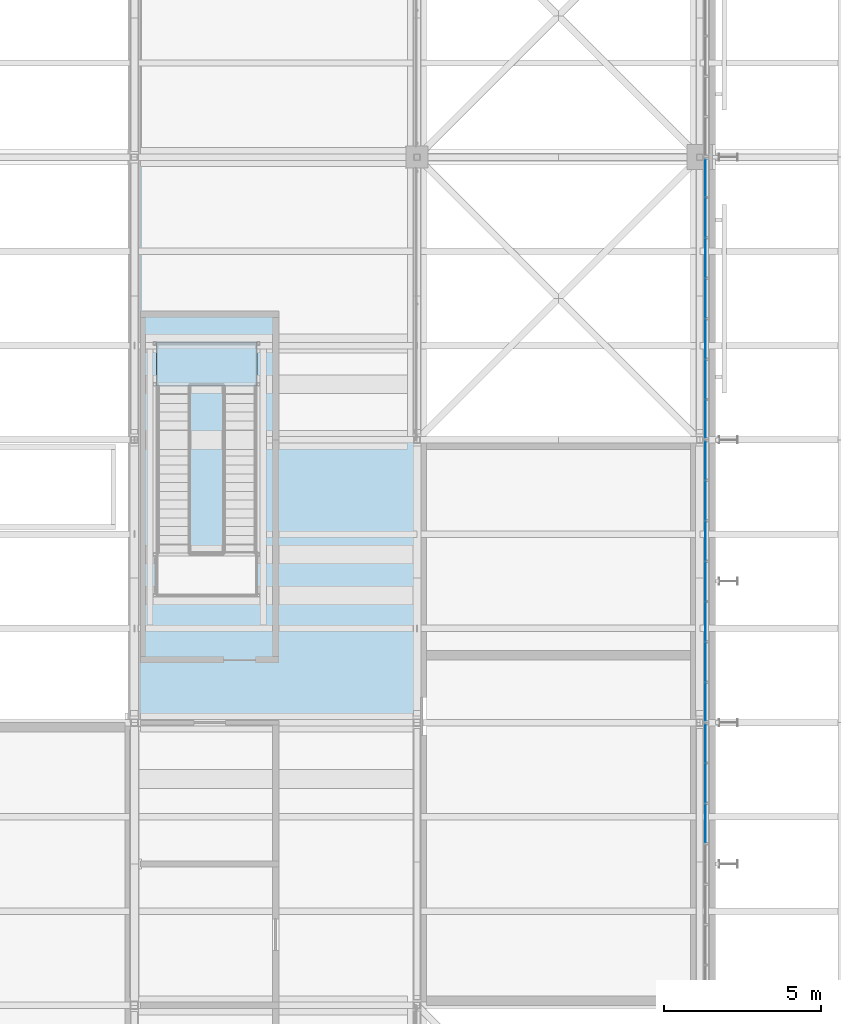
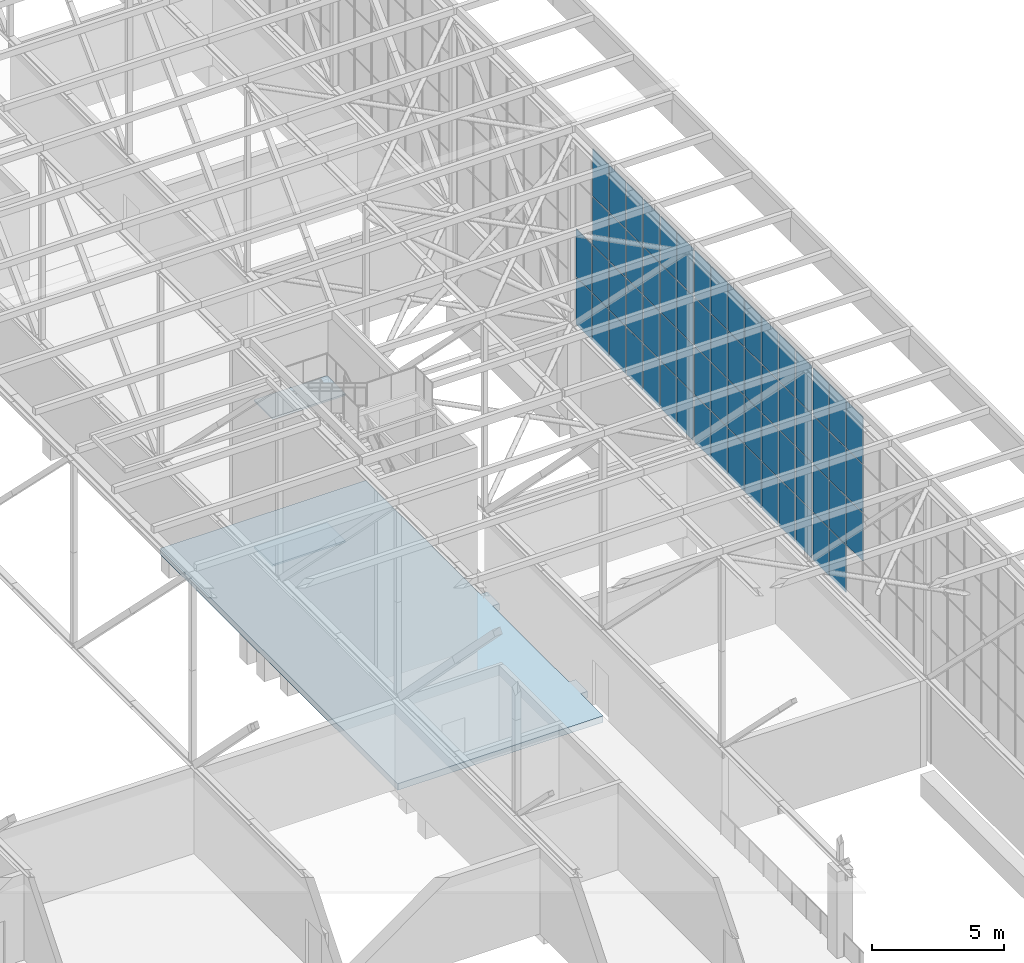
# One storey, part 155 of 646: 65 plates, 3 slabs, 4 elements without a shape of their own.
"""IFC4 building model written with IfcOpenShell, lengths in metres."""

import ifcopenshell
import ifcopenshell.guid

model = None  # the IFC model being written
_history = None  # IfcOwnerHistory: only IFC2X3 demands one
_inside = {}  # id of a spatial element -> (the spatial element, [elements in it])
_under = {}  # id of a project, library or spatial element -> (it, [spatial elements below it])
_declared = {}  # id of a project -> (the project, [libraries it declares])
_typed = {}  # id of a type object -> (the type object, [elements of that type])
_made_of = {}  # id of a material, layer set ... -> (it, [elements and type objects made of it])


def new_model(schema):
    """Start an empty IFC model of exactly this schema.

    Asked for "IFC4X3", IfcOpenShell would pick the latest addendum, in which some entities
    have other attributes; the version numbers below select the first issue.
    IFC2X3 requires an IfcOwnerHistory on every rooted entity: one is made here for all.
    """
    global model, _history
    if schema == "IFC4X3":
        model = ifcopenshell.file(schema_version=(4, 3, 0, 0))
    else:
        model = ifcopenshell.file(schema=schema)
    _inside.clear()
    _under.clear()
    _declared.clear()
    _typed.clear()
    _made_of.clear()
    _history = None
    if model.schema == "IFC2X3":
        org = make("IfcOrganization", Name="unknown")
        user = make(
            "IfcPersonAndOrganization",
            ThePerson=make("IfcPerson", FamilyName="unknown"),
            TheOrganization=org,
        )
        app = make(
            "IfcApplication",
            ApplicationDeveloper=org,
            Version="unknown",
            ApplicationFullName="unknown",
            ApplicationIdentifier="unknown",
        )
        _history = make(
            "IfcOwnerHistory",
            OwningUser=user,
            OwningApplication=app,
            ChangeAction="ADDED",
            CreationDate=0,
        )
    return model


def make(cls, **values):
    """One entity of the class cls with the attributes given. An attribute that is None is left unset."""
    return model.create_entity(
        cls, **{name: value for name, value in values.items() if value is not None}
    )


def rooted(cls, **values):
    """An entity with a GlobalId (a new one), such as an element, a storey or a relation."""
    return make(cls, GlobalId=ifcopenshell.guid.new(), OwnerHistory=_history, **values)


def si_unit(unit_type, name, prefix=None):
    """IfcSIUnit, for example si_unit("LENGTHUNIT", "METRE", prefix="MILLI")."""
    return make("IfcSIUnit", UnitType=unit_type, Prefix=prefix, Name=name)


def assignment(units):
    """IfcUnitAssignment: the units of a project."""
    return None if units is None else make("IfcUnitAssignment", Units=units)


def point(xyz):
    """IfcCartesianPoint."""
    return None if xyz is None else make("IfcCartesianPoint", Coordinates=xyz)


def direction(xyz):
    """IfcDirection."""
    return None if xyz is None else make("IfcDirection", DirectionRatios=xyz)


def frame(location, z_axis=None, x_axis=None):
    """IfcAxis2Placement3D, a coordinate frame: its origin and axes. An axis left out is left unset."""
    return make(
        "IfcAxis2Placement3D",
        Location=point(location),
        Axis=direction(z_axis),
        RefDirection=direction(x_axis),
    )


def frame_2d(location, x_axis=None):
    """IfcAxis2Placement2D, a coordinate frame in the plane: its origin and x axis."""
    return make(
        "IfcAxis2Placement2D", Location=point(location), RefDirection=direction(x_axis)
    )


def origin():
    """The frame at (0, 0, 0) with its axes left unset."""
    return frame((0.0, 0.0, 0.0))


def origin_2d():
    """The frame at (0, 0) in the plane with its x axis left unset."""
    return frame_2d((0.0, 0.0))


def place(relative_to, where):
    """IfcLocalPlacement: puts the frame where relative to a parent placement (None: the world)."""
    return make(
        "IfcLocalPlacement", PlacementRelTo=relative_to, RelativePlacement=where
    )


def context(
    kind, dimensions, precision=None, world=None, true_north=None, identifier=None
):
    """IfcGeometricRepresentationContext, for example the 3D "Model" context."""
    return make(
        "IfcGeometricRepresentationContext",
        ContextIdentifier=identifier,
        ContextType=kind,
        CoordinateSpaceDimension=dimensions,
        Precision=precision,
        WorldCoordinateSystem=world,
        TrueNorth=true_north,
    )


def subcontext(parent, identifier, kind, view, scale=None):
    """IfcGeometricRepresentationSubContext, for example "Body" below "Model"."""
    return make(
        "IfcGeometricRepresentationSubContext",
        ContextIdentifier=identifier,
        ContextType=kind,
        ParentContext=parent,
        TargetScale=scale,
        TargetView=view,
    )


def project(units=None, contexts=None):
    """IfcProject with its units and contexts."""
    return rooted(
        "IfcProject",
        Name="project",
        RepresentationContexts=contexts,
        UnitsInContext=assignment(units),
    )


def spatial(cls, under=None, at=None, **own):
    """A site, building, storey or space (cls), placed at a placement, below another one or the project."""
    s = rooted(cls, ObjectPlacement=at, **own)
    if under is not None:
        _under.setdefault(under.id(), (under, []))[1].append(s)
    return s


def polyline(points):
    """IfcPolyline through the points."""
    return make("IfcPolyline", Points=[point(p) for p in points])


def profile(cls, at=None, kind="AREA", **sizes):
    """A parametric profile (cls). Its sizes go by their IFC names, for example OverallWidth=200.0."""
    return make(cls, ProfileType=kind, Position=at, **sizes)


def rectangle(**sizes):
    """IfcRectangleProfileDef."""
    return profile("IfcRectangleProfileDef", **sizes)


def outline(outer, holes=None, kind="AREA"):
    """IfcArbitraryClosedProfileDef: a profile drawn as a closed curve; with holes, ...WithVoids."""
    if holes is None:
        return make("IfcArbitraryClosedProfileDef", ProfileType=kind, OuterCurve=outer)
    return make(
        "IfcArbitraryProfileDefWithVoids",
        ProfileType=kind,
        OuterCurve=outer,
        InnerCurves=holes,
    )


def extrude(swept, where, along, depth):
    """IfcExtrudedAreaSolid: the profile swept, set in the frame where, extruded along a direction by depth."""
    return make(
        "IfcExtrudedAreaSolid",
        SweptArea=swept,
        Position=where,
        ExtrudedDirection=direction(along),
        Depth=depth,
    )


def shape(context_of_items, identifier, shape_type, items):
    """IfcShapeRepresentation: the items that make up one representation, for example the "Body"."""
    return make(
        "IfcShapeRepresentation",
        ContextOfItems=context_of_items,
        RepresentationIdentifier=identifier,
        RepresentationType=shape_type,
        Items=items,
    )


def material(Name=None, Category=None):
    """IfcMaterial."""
    return make("IfcMaterial", Name=Name, Category=Category)


def layer(
    of_material, thickness, ventilated=None, Name=None, Category=None, Priority=None
):
    """IfcMaterialLayer: one layer of a wall or slab, of a material (None: an air gap)."""
    return make(
        "IfcMaterialLayer",
        Material=of_material,
        LayerThickness=thickness,
        IsVentilated=ventilated,
        Name=Name,
        Category=Category,
        Priority=Priority,
    )


def layer_set(layers, Name=None):
    """IfcMaterialLayerSet."""
    return make("IfcMaterialLayerSet", MaterialLayers=layers, LayerSetName=Name)


def made_of(thing, what):
    """Note that an element or type object is made of a material, layer set ...; save() writes the relation."""
    if what is not None:
        _made_of.setdefault(what.id(), (what, []))[1].append(thing)
    return thing


def type_object(cls, material=None, **own):
    """A type object (cls), such as IfcWallType, which elements share."""
    return made_of(rooted(cls, **own), material)


def element(
    cls,
    number,
    at=None,
    inside=None,
    cuts=None,
    type_object=None,
    material=None,
    context=None,
    identifier="Body",
    shape_type=None,
    held_by="IfcProductDefinitionShape",
    body=None,
    shapes=None,
    **own,
):
    """One element of the class cls, such as IfcWall. Its Tag is "e" and its number.

    at: its placement. inside: the storey or other place that contains it. cuts: it is an
    opening in that element (IfcRelVoidsElement). A single representation is given by context,
    identifier, shape_type and body (its items); several are given by shapes. held_by: the class
    of the entity that holds the representations. save() writes the other relations.
    """
    e = rooted(cls, Tag="e%d" % number, ObjectPlacement=at, **own)
    if body is not None:
        shapes = [shape(context, identifier, shape_type, body)]
    if shapes is not None:
        e.Representation = make(held_by, Representations=shapes)
    if inside is not None:
        _inside.setdefault(inside.id(), (inside, []))[1].append(e)
    if cuts is not None:
        rooted(
            "IfcRelVoidsElement", RelatingBuildingElement=cuts, RelatedOpeningElement=e
        )
    if type_object is not None:
        _typed.setdefault(type_object.id(), (type_object, []))[1].append(e)
    return made_of(e, material)


def aggregate(whole, parts):
    """IfcRelAggregates: a whole, such as a stair, and the parts it consists of."""
    return rooted("IfcRelAggregates", RelatingObject=whole, RelatedObjects=parts)


def save(model, path):
    """Write the relations noted so far, then the file.

    IfcRelAggregates (storeys below a building ...), IfcRelContainedInSpatialStructure (elements
    in a storey), IfcRelDefinesByType, IfcRelAssociatesMaterial and IfcRelDeclares: one each for
    every whole, place, type object, material and project.
    """
    for whole, parts in _under.values():
        aggregate(whole, parts)
    for where, things in _inside.values():
        rooted(
            "IfcRelContainedInSpatialStructure",
            RelatedElements=things,
            RelatingStructure=where,
        )
    for kind, things in _typed.values():
        rooted("IfcRelDefinesByType", RelatedObjects=things, RelatingType=kind)
    for what, things in _made_of.values():
        rooted("IfcRelAssociatesMaterial", RelatedObjects=things, RelatingMaterial=what)
    for by, libraries in _declared.values():
        rooted("IfcRelDeclares", RelatingContext=by, RelatedDefinitions=libraries)
    model.write(path)


model = new_model("IFC4")

# Units and contexts
model_context = context("Model", 3, precision=1e-05, world=origin(), true_north=direction((0.0, 1.0)))
body_context = subcontext(model_context, "Body", "Model", "MODEL_VIEW")
ifc_project = project(units=[si_unit("LENGTHUNIT", "METRE"), si_unit("AREAUNIT", "SQUARE_METRE"), si_unit("VOLUMEUNIT", "CUBIC_METRE"), si_unit("PLANEANGLEUNIT", "RADIAN"), si_unit("MASSUNIT", "GRAM", prefix="KILO")], contexts=[model_context])

# Site, building, storey
site_placement = place(None, origin())
site = spatial("IfcSite", under=ifc_project, at=site_placement, CompositionType="ELEMENT")
building_placement = place(site_placement, origin())
building = spatial("IfcBuilding", under=site, at=building_placement, Name="Silverbay Arena", CompositionType="ELEMENT")
storey_placement = place(building_placement, frame((0.0, 0.0, 33.5)))
storey = spatial("IfcBuildingStorey", under=building, at=storey_placement, Name="L05", CompositionType="ELEMENT", Elevation=33.5)

# Curtain wall, plates
ifc_material_1 = material(Name="Aluminium framed glazing", Category="aluminium")
curtain_wall_type = type_object("IfcCurtainWallType", Name="Curtain wall clerestory 9000 x 9000", PredefinedType="NOTDEFINED", material=ifc_material_1)
curtain_wall_1_placement = place(storey_placement, origin())
curtain_wall_1 = element("IfcCurtainWall", 1, at=curtain_wall_1_placement, inside=storey, type_object=curtain_wall_type, Name="ROOF GABLE CLERESTORY CURTAIN WALL east bay 06", PredefinedType="NOTDEFINED")
ifc_material_2 = material(Name="Laminated glass", Category="glass")
ifc_layer_1 = layer(ifc_material_2, 0.028076171875)
ifc_layer_set_1 = layer_set([ifc_layer_1], Name="Laminated glass")
plate_type = type_object("IfcPlateType", Name="Glass panel 28", PredefinedType="CURTAIN_PANEL", material=ifc_layer_set_1)
plate_1_placement = place(storey_placement, frame((207.179931640625, 59.78564453125, 6.27490234375), z_axis=(0.0, 0.0, 1.0), x_axis=(0.0, 1.0, 0.0)))
plate_1 = element("IfcPlate", 2, at=plate_1_placement, type_object=plate_type, Name="CW60 panel 5.2", PredefinedType="CURTAIN_PANEL", context=body_context, shape_type="SweptSolid", body=[
    extrude(rectangle(XDim=1.225830078125, YDim=0.028076171875, at=origin_2d()), origin(), (0.0, 0.0, 1.0), 2.199951171875),
])
plate_2_placement = place(storey_placement, frame((207.179931640625, 59.78564453125, 8.52490234375), z_axis=(0.0, 0.0, 1.0), x_axis=(0.0, 1.0, 0.0)))
plate_2 = element("IfcPlate", 3, at=plate_2_placement, type_object=plate_type, Name="CW60 panel 5.3", PredefinedType="CURTAIN_PANEL", context=body_context, shape_type="SweptSolid", body=[
    extrude(rectangle(XDim=1.225830078125, YDim=0.028076171875, at=origin_2d()), origin(), (0.0, 0.0, 1.0), 2.199951171875),
])
plate_3_placement = place(storey_placement, frame((207.179931640625, 59.78564453125, 10.77490234375), z_axis=(0.0, 0.0, 1.0), x_axis=(0.0, 1.0, 0.0)))
plate_3 = element("IfcPlate", 4, at=plate_3_placement, type_object=plate_type, Name="CW60 panel 5.4", PredefinedType="CURTAIN_PANEL", context=body_context, shape_type="SweptSolid", body=[
    extrude(rectangle(XDim=1.225830078125, YDim=0.028076171875, at=origin_2d()), origin(), (0.0, 0.0, 1.0), 2.175048828125),
])
plate_4_placement = place(storey_placement, frame((207.179931640625, 61.071533203125, 4.0498046875), z_axis=(0.0, 0.0, 1.0), x_axis=(0.0, 1.0, 0.0)))
plate_4 = element("IfcPlate", 5, at=plate_4_placement, type_object=plate_type, Name="CW60 panel 6.1", PredefinedType="CURTAIN_PANEL", context=body_context, shape_type="SweptSolid", body=[
    extrude(rectangle(XDim=1.225830078125, YDim=0.028076171875, at=origin_2d()), origin(), (0.0, 0.0, 1.0), 2.175048828125),
])
plate_5_placement = place(storey_placement, frame((207.179931640625, 61.071533203125, 6.27490234375), z_axis=(0.0, 0.0, 1.0), x_axis=(0.0, 1.0, 0.0)))
plate_5 = element("IfcPlate", 6, at=plate_5_placement, type_object=plate_type, Name="CW60 panel 6.2", PredefinedType="CURTAIN_PANEL", context=body_context, shape_type="SweptSolid", body=[
    extrude(rectangle(XDim=1.225830078125, YDim=0.028076171875, at=origin_2d()), origin(), (0.0, 0.0, 1.0), 2.199951171875),
])
plate_6_placement = place(storey_placement, frame((207.179931640625, 61.071533203125, 8.52490234375), z_axis=(0.0, 0.0, 1.0), x_axis=(0.0, 1.0, 0.0)))
plate_6 = element("IfcPlate", 7, at=plate_6_placement, type_object=plate_type, Name="CW60 panel 6.3", PredefinedType="CURTAIN_PANEL", context=body_context, shape_type="SweptSolid", body=[
    extrude(rectangle(XDim=1.225830078125, YDim=0.028076171875, at=origin_2d()), origin(), (0.0, 0.0, 1.0), 2.199951171875),
])
plate_7_placement = place(storey_placement, frame((207.179931640625, 61.071533203125, 10.77490234375), z_axis=(0.0, 0.0, 1.0), x_axis=(0.0, 1.0, 0.0)))
plate_7 = element("IfcPlate", 8, at=plate_7_placement, type_object=plate_type, Name="CW60 panel 6.4", PredefinedType="CURTAIN_PANEL", context=body_context, shape_type="SweptSolid", body=[
    extrude(rectangle(XDim=1.225830078125, YDim=0.028076171875, at=origin_2d()), origin(), (0.0, 0.0, 1.0), 2.175048828125),
])
plate_8_placement = place(storey_placement, frame((207.179931640625, 62.342041015625, 4.0498046875), z_axis=(0.0, 0.0, 1.0), x_axis=(0.0, 1.0, 0.0)))
plate_8 = element("IfcPlate", 9, at=plate_8_placement, type_object=plate_type, Name="CW60 panel 7.1", PredefinedType="CURTAIN_PANEL", context=body_context, shape_type="SweptSolid", body=[
    extrude(rectangle(XDim=1.19580078125, YDim=0.028076171875, at=origin_2d()), origin(), (0.0, 0.0, 1.0), 2.175048828125),
])
plate_9_placement = place(storey_placement, frame((207.179931640625, 62.342041015625, 6.27490234375), z_axis=(0.0, 0.0, 1.0), x_axis=(0.0, 1.0, 0.0)))
plate_9 = element("IfcPlate", 10, at=plate_9_placement, type_object=plate_type, Name="CW60 panel 7.2", PredefinedType="CURTAIN_PANEL", context=body_context, shape_type="SweptSolid", body=[
    extrude(rectangle(XDim=1.19580078125, YDim=0.028076171875, at=origin_2d()), origin(), (0.0, 0.0, 1.0), 2.199951171875),
])
plate_10_placement = place(storey_placement, frame((207.179931640625, 62.342041015625, 8.52490234375), z_axis=(0.0, 0.0, 1.0), x_axis=(0.0, 1.0, 0.0)))
plate_10 = element("IfcPlate", 11, at=plate_10_placement, type_object=plate_type, Name="CW60 panel 7.3", PredefinedType="CURTAIN_PANEL", context=body_context, shape_type="SweptSolid", body=[
    extrude(rectangle(XDim=1.19580078125, YDim=0.028076171875, at=origin_2d()), origin(), (0.0, 0.0, 1.0), 2.199951171875),
])
plate_11_placement = place(storey_placement, frame((207.179931640625, 62.342041015625, 10.77490234375), z_axis=(0.0, 0.0, 1.0), x_axis=(0.0, 1.0, 0.0)))
plate_11 = element("IfcPlate", 12, at=plate_11_placement, type_object=plate_type, Name="CW60 panel 7.4", PredefinedType="CURTAIN_PANEL", context=body_context, shape_type="SweptSolid", body=[
    extrude(rectangle(XDim=1.19580078125, YDim=0.028076171875, at=origin_2d()), origin(), (0.0, 0.0, 1.0), 2.175048828125),
])
aggregate(curtain_wall_1, [plate_1, plate_2, plate_3, plate_4, plate_5, plate_6, plate_7, plate_8, plate_9, plate_10, plate_11])

curtain_wall_2_placement = place(storey_placement, origin())
curtain_wall_2 = element("IfcCurtainWall", 13, at=curtain_wall_2_placement, inside=storey, type_object=curtain_wall_type, Name="ROOF GABLE CLERESTORY CURTAIN WALL east bay 07", PredefinedType="NOTDEFINED")
plate_12_placement = place(storey_placement, frame((207.179931640625, 63.657958984375, 4.0498046875), z_axis=(0.0, 0.0, 1.0), x_axis=(0.0, 1.0, 0.0)))
plate_12 = element("IfcPlate", 14, at=plate_12_placement, type_object=plate_type, Name="CW60 panel 1.1", PredefinedType="CURTAIN_PANEL", context=body_context, shape_type="SweptSolid", body=[
    extrude(rectangle(XDim=1.19580078125, YDim=0.028076171875, at=origin_2d()), origin(), (0.0, 0.0, 1.0), 2.175048828125),
])
plate_13_placement = place(storey_placement, frame((207.179931640625, 63.657958984375, 6.27490234375), z_axis=(0.0, 0.0, 1.0), x_axis=(0.0, 1.0, 0.0)))
plate_13 = element("IfcPlate", 15, at=plate_13_placement, type_object=plate_type, Name="CW60 panel 1.2", PredefinedType="CURTAIN_PANEL", context=body_context, shape_type="SweptSolid", body=[
    extrude(rectangle(XDim=1.19580078125, YDim=0.028076171875, at=origin_2d()), origin(), (0.0, 0.0, 1.0), 2.199951171875),
])
plate_14_placement = place(storey_placement, frame((207.179931640625, 63.657958984375, 8.52490234375), z_axis=(0.0, 0.0, 1.0), x_axis=(0.0, 1.0, 0.0)))
plate_14 = element("IfcPlate", 16, at=plate_14_placement, type_object=plate_type, Name="CW60 panel 1.3", PredefinedType="CURTAIN_PANEL", context=body_context, shape_type="SweptSolid", body=[
    extrude(rectangle(XDim=1.19580078125, YDim=0.028076171875, at=origin_2d()), origin(), (0.0, 0.0, 1.0), 2.199951171875),
])
plate_15_placement = place(storey_placement, frame((207.179931640625, 63.657958984375, 10.77490234375), z_axis=(0.0, 0.0, 1.0), x_axis=(0.0, 1.0, 0.0)))
plate_15 = element("IfcPlate", 17, at=plate_15_placement, type_object=plate_type, Name="CW60 panel 1.4", PredefinedType="CURTAIN_PANEL", context=body_context, shape_type="SweptSolid", body=[
    extrude(rectangle(XDim=1.19580078125, YDim=0.028076171875, at=origin_2d()), origin(), (0.0, 0.0, 1.0), 2.175048828125),
])
plate_16_placement = place(storey_placement, frame((207.179931640625, 64.928466796875, 4.0498046875), z_axis=(0.0, 0.0, 1.0), x_axis=(0.0, 1.0, 0.0)))
plate_16 = element("IfcPlate", 18, at=plate_16_placement, type_object=plate_type, Name="CW60 panel 2.1", PredefinedType="CURTAIN_PANEL", context=body_context, shape_type="SweptSolid", body=[
    extrude(rectangle(XDim=1.225830078125, YDim=0.028076171875, at=origin_2d()), origin(), (0.0, 0.0, 1.0), 2.175048828125),
])
plate_17_placement = place(storey_placement, frame((207.179931640625, 64.928466796875, 6.27490234375), z_axis=(0.0, 0.0, 1.0), x_axis=(0.0, 1.0, 0.0)))
plate_17 = element("IfcPlate", 19, at=plate_17_placement, type_object=plate_type, Name="CW60 panel 2.2", PredefinedType="CURTAIN_PANEL", context=body_context, shape_type="SweptSolid", body=[
    extrude(rectangle(XDim=1.225830078125, YDim=0.028076171875, at=origin_2d()), origin(), (0.0, 0.0, 1.0), 2.199951171875),
])
plate_18_placement = place(storey_placement, frame((207.179931640625, 64.928466796875, 8.52490234375), z_axis=(0.0, 0.0, 1.0), x_axis=(0.0, 1.0, 0.0)))
plate_18 = element("IfcPlate", 20, at=plate_18_placement, type_object=plate_type, Name="CW60 panel 2.3", PredefinedType="CURTAIN_PANEL", context=body_context, shape_type="SweptSolid", body=[
    extrude(rectangle(XDim=1.225830078125, YDim=0.028076171875, at=origin_2d()), origin(), (0.0, 0.0, 1.0), 2.199951171875),
])
plate_19_placement = place(storey_placement, frame((207.179931640625, 64.928466796875, 10.77490234375), z_axis=(0.0, 0.0, 1.0), x_axis=(0.0, 1.0, 0.0)))
plate_19 = element("IfcPlate", 21, at=plate_19_placement, type_object=plate_type, Name="CW60 panel 2.4", PredefinedType="CURTAIN_PANEL", context=body_context, shape_type="SweptSolid", body=[
    extrude(rectangle(XDim=1.225830078125, YDim=0.028076171875, at=origin_2d()), origin(), (0.0, 0.0, 1.0), 2.175048828125),
])
plate_20_placement = place(storey_placement, frame((207.179931640625, 66.21435546875, 4.0498046875), z_axis=(0.0, 0.0, 1.0), x_axis=(0.0, 1.0, 0.0)))
plate_20 = element("IfcPlate", 22, at=plate_20_placement, type_object=plate_type, Name="CW60 panel 3.1", PredefinedType="CURTAIN_PANEL", context=body_context, shape_type="SweptSolid", body=[
    extrude(rectangle(XDim=1.225830078125, YDim=0.028076171875, at=origin_2d()), origin(), (0.0, 0.0, 1.0), 2.175048828125),
])
plate_21_placement = place(storey_placement, frame((207.179931640625, 66.21435546875, 6.27490234375), z_axis=(0.0, 0.0, 1.0), x_axis=(0.0, 1.0, 0.0)))
plate_21 = element("IfcPlate", 23, at=plate_21_placement, type_object=plate_type, Name="CW60 panel 3.2", PredefinedType="CURTAIN_PANEL", context=body_context, shape_type="SweptSolid", body=[
    extrude(rectangle(XDim=1.225830078125, YDim=0.028076171875, at=origin_2d()), origin(), (0.0, 0.0, 1.0), 2.199951171875),
])
plate_22_placement = place(storey_placement, frame((207.179931640625, 66.21435546875, 8.52490234375), z_axis=(0.0, 0.0, 1.0), x_axis=(0.0, 1.0, 0.0)))
plate_22 = element("IfcPlate", 24, at=plate_22_placement, type_object=plate_type, Name="CW60 panel 3.3", PredefinedType="CURTAIN_PANEL", context=body_context, shape_type="SweptSolid", body=[
    extrude(rectangle(XDim=1.225830078125, YDim=0.028076171875, at=origin_2d()), origin(), (0.0, 0.0, 1.0), 2.199951171875),
])
plate_23_placement = place(storey_placement, frame((207.179931640625, 66.21435546875, 10.77490234375), z_axis=(0.0, 0.0, 1.0), x_axis=(0.0, 1.0, 0.0)))
plate_23 = element("IfcPlate", 25, at=plate_23_placement, type_object=plate_type, Name="CW60 panel 3.4", PredefinedType="CURTAIN_PANEL", context=body_context, shape_type="SweptSolid", body=[
    extrude(rectangle(XDim=1.225830078125, YDim=0.028076171875, at=origin_2d()), origin(), (0.0, 0.0, 1.0), 2.175048828125),
])
plate_24_placement = place(storey_placement, frame((207.179931640625, 67.5, 4.0498046875), z_axis=(0.0, 0.0, 1.0), x_axis=(0.0, 1.0, 0.0)))
plate_24 = element("IfcPlate", 26, at=plate_24_placement, type_object=plate_type, Name="CW60 panel 4.1", PredefinedType="CURTAIN_PANEL", context=body_context, shape_type="SweptSolid", body=[
    extrude(rectangle(XDim=1.225830078125, YDim=0.028076171875, at=origin_2d()), origin(), (0.0, 0.0, 1.0), 2.175048828125),
])
plate_25_placement = place(storey_placement, frame((207.179931640625, 67.5, 6.27490234375), z_axis=(0.0, 0.0, 1.0), x_axis=(0.0, 1.0, 0.0)))
plate_25 = element("IfcPlate", 27, at=plate_25_placement, type_object=plate_type, Name="CW60 panel 4.2", PredefinedType="CURTAIN_PANEL", context=body_context, shape_type="SweptSolid", body=[
    extrude(rectangle(XDim=1.225830078125, YDim=0.028076171875, at=origin_2d()), origin(), (0.0, 0.0, 1.0), 2.199951171875),
])
plate_26_placement = place(storey_placement, frame((207.179931640625, 67.5, 8.52490234375), z_axis=(0.0, 0.0, 1.0), x_axis=(0.0, 1.0, 0.0)))
plate_26 = element("IfcPlate", 28, at=plate_26_placement, type_object=plate_type, Name="CW60 panel 4.3", PredefinedType="CURTAIN_PANEL", context=body_context, shape_type="SweptSolid", body=[
    extrude(rectangle(XDim=1.225830078125, YDim=0.028076171875, at=origin_2d()), origin(), (0.0, 0.0, 1.0), 2.199951171875),
])
plate_27_placement = place(storey_placement, frame((207.179931640625, 67.5, 10.77490234375), z_axis=(0.0, 0.0, 1.0), x_axis=(0.0, 1.0, 0.0)))
plate_27 = element("IfcPlate", 29, at=plate_27_placement, type_object=plate_type, Name="CW60 panel 4.4", PredefinedType="CURTAIN_PANEL", context=body_context, shape_type="SweptSolid", body=[
    extrude(rectangle(XDim=1.225830078125, YDim=0.028076171875, at=origin_2d()), origin(), (0.0, 0.0, 1.0), 2.175048828125),
])
plate_28_placement = place(storey_placement, frame((207.179931640625, 68.78564453125, 4.0498046875), z_axis=(0.0, 0.0, 1.0), x_axis=(0.0, 1.0, 0.0)))
plate_28 = element("IfcPlate", 30, at=plate_28_placement, type_object=plate_type, Name="CW60 panel 5.1", PredefinedType="CURTAIN_PANEL", context=body_context, shape_type="SweptSolid", body=[
    extrude(rectangle(XDim=1.225830078125, YDim=0.028076171875, at=origin_2d()), origin(), (0.0, 0.0, 1.0), 2.175048828125),
])
plate_29_placement = place(storey_placement, frame((207.179931640625, 68.78564453125, 6.27490234375), z_axis=(0.0, 0.0, 1.0), x_axis=(0.0, 1.0, 0.0)))
plate_29 = element("IfcPlate", 31, at=plate_29_placement, type_object=plate_type, Name="CW60 panel 5.2", PredefinedType="CURTAIN_PANEL", context=body_context, shape_type="SweptSolid", body=[
    extrude(rectangle(XDim=1.225830078125, YDim=0.028076171875, at=origin_2d()), origin(), (0.0, 0.0, 1.0), 2.199951171875),
])
plate_30_placement = place(storey_placement, frame((207.179931640625, 68.78564453125, 8.52490234375), z_axis=(0.0, 0.0, 1.0), x_axis=(0.0, 1.0, 0.0)))
plate_30 = element("IfcPlate", 32, at=plate_30_placement, type_object=plate_type, Name="CW60 panel 5.3", PredefinedType="CURTAIN_PANEL", context=body_context, shape_type="SweptSolid", body=[
    extrude(rectangle(XDim=1.225830078125, YDim=0.028076171875, at=origin_2d()), origin(), (0.0, 0.0, 1.0), 2.199951171875),
])
plate_31_placement = place(storey_placement, frame((207.179931640625, 68.78564453125, 10.77490234375), z_axis=(0.0, 0.0, 1.0), x_axis=(0.0, 1.0, 0.0)))
plate_31 = element("IfcPlate", 33, at=plate_31_placement, type_object=plate_type, Name="CW60 panel 5.4", PredefinedType="CURTAIN_PANEL", context=body_context, shape_type="SweptSolid", body=[
    extrude(rectangle(XDim=1.225830078125, YDim=0.028076171875, at=origin_2d()), origin(), (0.0, 0.0, 1.0), 2.175048828125),
])
plate_32_placement = place(storey_placement, frame((207.179931640625, 70.071533203125, 4.0498046875), z_axis=(0.0, 0.0, 1.0), x_axis=(0.0, 1.0, 0.0)))
plate_32 = element("IfcPlate", 34, at=plate_32_placement, type_object=plate_type, Name="CW60 panel 6.1", PredefinedType="CURTAIN_PANEL", context=body_context, shape_type="SweptSolid", body=[
    extrude(rectangle(XDim=1.225830078125, YDim=0.028076171875, at=origin_2d()), origin(), (0.0, 0.0, 1.0), 2.175048828125),
])
plate_33_placement = place(storey_placement, frame((207.179931640625, 70.071533203125, 6.27490234375), z_axis=(0.0, 0.0, 1.0), x_axis=(0.0, 1.0, 0.0)))
plate_33 = element("IfcPlate", 35, at=plate_33_placement, type_object=plate_type, Name="CW60 panel 6.2", PredefinedType="CURTAIN_PANEL", context=body_context, shape_type="SweptSolid", body=[
    extrude(rectangle(XDim=1.225830078125, YDim=0.028076171875, at=origin_2d()), origin(), (0.0, 0.0, 1.0), 2.199951171875),
])
plate_34_placement = place(storey_placement, frame((207.179931640625, 70.071533203125, 8.52490234375), z_axis=(0.0, 0.0, 1.0), x_axis=(0.0, 1.0, 0.0)))
plate_34 = element("IfcPlate", 36, at=plate_34_placement, type_object=plate_type, Name="CW60 panel 6.3", PredefinedType="CURTAIN_PANEL", context=body_context, shape_type="SweptSolid", body=[
    extrude(rectangle(XDim=1.225830078125, YDim=0.028076171875, at=origin_2d()), origin(), (0.0, 0.0, 1.0), 2.199951171875),
])
plate_35_placement = place(storey_placement, frame((207.179931640625, 70.071533203125, 10.77490234375), z_axis=(0.0, 0.0, 1.0), x_axis=(0.0, 1.0, 0.0)))
plate_35 = element("IfcPlate", 37, at=plate_35_placement, type_object=plate_type, Name="CW60 panel 6.4", PredefinedType="CURTAIN_PANEL", context=body_context, shape_type="SweptSolid", body=[
    extrude(rectangle(XDim=1.225830078125, YDim=0.028076171875, at=origin_2d()), origin(), (0.0, 0.0, 1.0), 2.175048828125),
])
plate_36_placement = place(storey_placement, frame((207.179931640625, 71.342041015625, 4.0498046875), z_axis=(0.0, 0.0, 1.0), x_axis=(0.0, 1.0, 0.0)))
plate_36 = element("IfcPlate", 38, at=plate_36_placement, type_object=plate_type, Name="CW60 panel 7.1", PredefinedType="CURTAIN_PANEL", context=body_context, shape_type="SweptSolid", body=[
    extrude(rectangle(XDim=1.19580078125, YDim=0.028076171875, at=origin_2d()), origin(), (0.0, 0.0, 1.0), 2.175048828125),
])
plate_37_placement = place(storey_placement, frame((207.179931640625, 71.342041015625, 6.27490234375), z_axis=(0.0, 0.0, 1.0), x_axis=(0.0, 1.0, 0.0)))
plate_37 = element("IfcPlate", 39, at=plate_37_placement, type_object=plate_type, Name="CW60 panel 7.2", PredefinedType="CURTAIN_PANEL", context=body_context, shape_type="SweptSolid", body=[
    extrude(rectangle(XDim=1.19580078125, YDim=0.028076171875, at=origin_2d()), origin(), (0.0, 0.0, 1.0), 2.199951171875),
])
plate_38_placement = place(storey_placement, frame((207.179931640625, 71.342041015625, 8.52490234375), z_axis=(0.0, 0.0, 1.0), x_axis=(0.0, 1.0, 0.0)))
plate_38 = element("IfcPlate", 40, at=plate_38_placement, type_object=plate_type, Name="CW60 panel 7.3", PredefinedType="CURTAIN_PANEL", context=body_context, shape_type="SweptSolid", body=[
    extrude(rectangle(XDim=1.19580078125, YDim=0.028076171875, at=origin_2d()), origin(), (0.0, 0.0, 1.0), 2.199951171875),
])
plate_39_placement = place(storey_placement, frame((207.179931640625, 71.342041015625, 10.77490234375), z_axis=(0.0, 0.0, 1.0), x_axis=(0.0, 1.0, 0.0)))
plate_39 = element("IfcPlate", 41, at=plate_39_placement, type_object=plate_type, Name="CW60 panel 7.4", PredefinedType="CURTAIN_PANEL", context=body_context, shape_type="SweptSolid", body=[
    extrude(rectangle(XDim=1.19580078125, YDim=0.028076171875, at=origin_2d()), origin(), (0.0, 0.0, 1.0), 2.175048828125),
])
aggregate(curtain_wall_2, [plate_12, plate_13, plate_14, plate_15, plate_16, plate_17, plate_18, plate_19, plate_20, plate_21, plate_22, plate_23, plate_24, plate_25, plate_26, plate_27, plate_28, plate_29, plate_30, plate_31, plate_32, plate_33, plate_34, plate_35, plate_36, plate_37, plate_38, plate_39])

curtain_wall_3_placement = place(storey_placement, origin())
curtain_wall_3 = element("IfcCurtainWall", 42, at=curtain_wall_3_placement, inside=storey, type_object=curtain_wall_type, Name="ROOF GABLE CLERESTORY CURTAIN WALL east bay 08", PredefinedType="NOTDEFINED")
plate_40_placement = place(storey_placement, frame((207.179931640625, 72.657958984375, 4.0498046875), z_axis=(0.0, 0.0, 1.0), x_axis=(0.0, 1.0, 0.0)))
plate_40 = element("IfcPlate", 43, at=plate_40_placement, type_object=plate_type, Name="CW60 panel 1.1", PredefinedType="CURTAIN_PANEL", context=body_context, shape_type="SweptSolid", body=[
    extrude(rectangle(XDim=1.19580078125, YDim=0.028076171875, at=origin_2d()), origin(), (0.0, 0.0, 1.0), 2.175048828125),
])
plate_41_placement = place(storey_placement, frame((207.179931640625, 72.657958984375, 6.27490234375), z_axis=(0.0, 0.0, 1.0), x_axis=(0.0, 1.0, 0.0)))
plate_41 = element("IfcPlate", 44, at=plate_41_placement, type_object=plate_type, Name="CW60 panel 1.2", PredefinedType="CURTAIN_PANEL", context=body_context, shape_type="SweptSolid", body=[
    extrude(rectangle(XDim=1.19580078125, YDim=0.028076171875, at=origin_2d()), origin(), (0.0, 0.0, 1.0), 2.199951171875),
])
plate_42_placement = place(storey_placement, frame((207.179931640625, 72.657958984375, 8.52490234375), z_axis=(0.0, 0.0, 1.0), x_axis=(0.0, 1.0, 0.0)))
plate_42 = element("IfcPlate", 45, at=plate_42_placement, type_object=plate_type, Name="CW60 panel 1.3", PredefinedType="CURTAIN_PANEL", context=body_context, shape_type="SweptSolid", body=[
    extrude(rectangle(XDim=1.19580078125, YDim=0.028076171875, at=origin_2d()), origin(), (0.0, 0.0, 1.0), 2.199951171875),
])
plate_43_placement = place(storey_placement, frame((207.179931640625, 72.657958984375, 10.77490234375), z_axis=(0.0, 0.0, 1.0), x_axis=(0.0, 1.0, 0.0)))
plate_43 = element("IfcPlate", 46, at=plate_43_placement, type_object=plate_type, Name="CW60 panel 1.4", PredefinedType="CURTAIN_PANEL", context=body_context, shape_type="SweptSolid", body=[
    extrude(rectangle(XDim=1.19580078125, YDim=0.028076171875, at=origin_2d()), origin(), (0.0, 0.0, 1.0), 2.175048828125),
])
plate_44_placement = place(storey_placement, frame((207.179931640625, 73.928466796875, 4.0498046875), z_axis=(0.0, 0.0, 1.0), x_axis=(0.0, 1.0, 0.0)))
plate_44 = element("IfcPlate", 47, at=plate_44_placement, type_object=plate_type, Name="CW60 panel 2.1", PredefinedType="CURTAIN_PANEL", context=body_context, shape_type="SweptSolid", body=[
    extrude(rectangle(XDim=1.225830078125, YDim=0.028076171875, at=origin_2d()), origin(), (0.0, 0.0, 1.0), 2.175048828125),
])
plate_45_placement = place(storey_placement, frame((207.179931640625, 73.928466796875, 6.27490234375), z_axis=(0.0, 0.0, 1.0), x_axis=(0.0, 1.0, 0.0)))
plate_45 = element("IfcPlate", 48, at=plate_45_placement, type_object=plate_type, Name="CW60 panel 2.2", PredefinedType="CURTAIN_PANEL", context=body_context, shape_type="SweptSolid", body=[
    extrude(rectangle(XDim=1.225830078125, YDim=0.028076171875, at=origin_2d()), origin(), (0.0, 0.0, 1.0), 2.199951171875),
])
plate_46_placement = place(storey_placement, frame((207.179931640625, 73.928466796875, 8.52490234375), z_axis=(0.0, 0.0, 1.0), x_axis=(0.0, 1.0, 0.0)))
plate_46 = element("IfcPlate", 49, at=plate_46_placement, type_object=plate_type, Name="CW60 panel 2.3", PredefinedType="CURTAIN_PANEL", context=body_context, shape_type="SweptSolid", body=[
    extrude(rectangle(XDim=1.225830078125, YDim=0.028076171875, at=origin_2d()), origin(), (0.0, 0.0, 1.0), 2.199951171875),
])
plate_47_placement = place(storey_placement, frame((207.179931640625, 73.928466796875, 10.77490234375), z_axis=(0.0, 0.0, 1.0), x_axis=(0.0, 1.0, 0.0)))
plate_47 = element("IfcPlate", 50, at=plate_47_placement, type_object=plate_type, Name="CW60 panel 2.4", PredefinedType="CURTAIN_PANEL", context=body_context, shape_type="SweptSolid", body=[
    extrude(rectangle(XDim=1.225830078125, YDim=0.028076171875, at=origin_2d()), origin(), (0.0, 0.0, 1.0), 2.175048828125),
])
plate_48_placement = place(storey_placement, frame((207.179931640625, 75.21435546875, 4.0498046875), z_axis=(0.0, 0.0, 1.0), x_axis=(0.0, 1.0, 0.0)))
plate_48 = element("IfcPlate", 51, at=plate_48_placement, type_object=plate_type, Name="CW60 panel 3.1", PredefinedType="CURTAIN_PANEL", context=body_context, shape_type="SweptSolid", body=[
    extrude(rectangle(XDim=1.225830078125, YDim=0.028076171875, at=origin_2d()), origin(), (0.0, 0.0, 1.0), 2.175048828125),
])
plate_49_placement = place(storey_placement, frame((207.179931640625, 75.21435546875, 6.27490234375), z_axis=(0.0, 0.0, 1.0), x_axis=(0.0, 1.0, 0.0)))
plate_49 = element("IfcPlate", 52, at=plate_49_placement, type_object=plate_type, Name="CW60 panel 3.2", PredefinedType="CURTAIN_PANEL", context=body_context, shape_type="SweptSolid", body=[
    extrude(rectangle(XDim=1.225830078125, YDim=0.028076171875, at=origin_2d()), origin(), (0.0, 0.0, 1.0), 2.199951171875),
])
plate_50_placement = place(storey_placement, frame((207.179931640625, 75.21435546875, 8.52490234375), z_axis=(0.0, 0.0, 1.0), x_axis=(0.0, 1.0, 0.0)))
plate_50 = element("IfcPlate", 53, at=plate_50_placement, type_object=plate_type, Name="CW60 panel 3.3", PredefinedType="CURTAIN_PANEL", context=body_context, shape_type="SweptSolid", body=[
    extrude(rectangle(XDim=1.225830078125, YDim=0.028076171875, at=origin_2d()), origin(), (0.0, 0.0, 1.0), 2.199951171875),
])
plate_51_placement = place(storey_placement, frame((207.179931640625, 75.21435546875, 10.77490234375), z_axis=(0.0, 0.0, 1.0), x_axis=(0.0, 1.0, 0.0)))
plate_51 = element("IfcPlate", 54, at=plate_51_placement, type_object=plate_type, Name="CW60 panel 3.4", PredefinedType="CURTAIN_PANEL", context=body_context, shape_type="SweptSolid", body=[
    extrude(rectangle(XDim=1.225830078125, YDim=0.028076171875, at=origin_2d()), origin(), (0.0, 0.0, 1.0), 2.175048828125),
])
plate_52_placement = place(storey_placement, frame((207.179931640625, 76.5, 4.0498046875), z_axis=(0.0, 0.0, 1.0), x_axis=(0.0, 1.0, 0.0)))
plate_52 = element("IfcPlate", 55, at=plate_52_placement, type_object=plate_type, Name="CW60 panel 4.1", PredefinedType="CURTAIN_PANEL", context=body_context, shape_type="SweptSolid", body=[
    extrude(rectangle(XDim=1.225830078125, YDim=0.028076171875, at=origin_2d()), origin(), (0.0, 0.0, 1.0), 2.175048828125),
])
plate_53_placement = place(storey_placement, frame((207.179931640625, 76.5, 6.27490234375), z_axis=(0.0, 0.0, 1.0), x_axis=(0.0, 1.0, 0.0)))
plate_53 = element("IfcPlate", 56, at=plate_53_placement, type_object=plate_type, Name="CW60 panel 4.2", PredefinedType="CURTAIN_PANEL", context=body_context, shape_type="SweptSolid", body=[
    extrude(rectangle(XDim=1.225830078125, YDim=0.028076171875, at=origin_2d()), origin(), (0.0, 0.0, 1.0), 2.199951171875),
])
plate_54_placement = place(storey_placement, frame((207.179931640625, 76.5, 8.52490234375), z_axis=(0.0, 0.0, 1.0), x_axis=(0.0, 1.0, 0.0)))
plate_54 = element("IfcPlate", 57, at=plate_54_placement, type_object=plate_type, Name="CW60 panel 4.3", PredefinedType="CURTAIN_PANEL", context=body_context, shape_type="SweptSolid", body=[
    extrude(rectangle(XDim=1.225830078125, YDim=0.028076171875, at=origin_2d()), origin(), (0.0, 0.0, 1.0), 2.199951171875),
])
plate_55_placement = place(storey_placement, frame((207.179931640625, 76.5, 10.77490234375), z_axis=(0.0, 0.0, 1.0), x_axis=(0.0, 1.0, 0.0)))
plate_55 = element("IfcPlate", 58, at=plate_55_placement, type_object=plate_type, Name="CW60 panel 4.4", PredefinedType="CURTAIN_PANEL", context=body_context, shape_type="SweptSolid", body=[
    extrude(rectangle(XDim=1.225830078125, YDim=0.028076171875, at=origin_2d()), origin(), (0.0, 0.0, 1.0), 2.175048828125),
])
plate_56_placement = place(storey_placement, frame((207.179931640625, 77.78564453125, 4.0498046875), z_axis=(0.0, 0.0, 1.0), x_axis=(0.0, 1.0, 0.0)))
plate_56 = element("IfcPlate", 59, at=plate_56_placement, type_object=plate_type, Name="CW60 panel 5.1", PredefinedType="CURTAIN_PANEL", context=body_context, shape_type="SweptSolid", body=[
    extrude(rectangle(XDim=1.225830078125, YDim=0.028076171875, at=origin_2d()), origin(), (0.0, 0.0, 1.0), 2.175048828125),
])
plate_57_placement = place(storey_placement, frame((207.179931640625, 77.78564453125, 6.27490234375), z_axis=(0.0, 0.0, 1.0), x_axis=(0.0, 1.0, 0.0)))
plate_57 = element("IfcPlate", 60, at=plate_57_placement, type_object=plate_type, Name="CW60 panel 5.2", PredefinedType="CURTAIN_PANEL", context=body_context, shape_type="SweptSolid", body=[
    extrude(rectangle(XDim=1.225830078125, YDim=0.028076171875, at=origin_2d()), origin(), (0.0, 0.0, 1.0), 2.199951171875),
])
plate_58_placement = place(storey_placement, frame((207.179931640625, 77.78564453125, 8.52490234375), z_axis=(0.0, 0.0, 1.0), x_axis=(0.0, 1.0, 0.0)))
plate_58 = element("IfcPlate", 61, at=plate_58_placement, type_object=plate_type, Name="CW60 panel 5.3", PredefinedType="CURTAIN_PANEL", context=body_context, shape_type="SweptSolid", body=[
    extrude(rectangle(XDim=1.225830078125, YDim=0.028076171875, at=origin_2d()), origin(), (0.0, 0.0, 1.0), 2.199951171875),
])
plate_59_placement = place(storey_placement, frame((207.179931640625, 77.78564453125, 10.77490234375), z_axis=(0.0, 0.0, 1.0), x_axis=(0.0, 1.0, 0.0)))
plate_59 = element("IfcPlate", 62, at=plate_59_placement, type_object=plate_type, Name="CW60 panel 5.4", PredefinedType="CURTAIN_PANEL", context=body_context, shape_type="SweptSolid", body=[
    extrude(rectangle(XDim=1.225830078125, YDim=0.028076171875, at=origin_2d()), origin(), (0.0, 0.0, 1.0), 2.175048828125),
])
plate_60_placement = place(storey_placement, frame((207.179931640625, 79.071533203125, 4.0498046875), z_axis=(0.0, 0.0, 1.0), x_axis=(0.0, 1.0, 0.0)))
plate_60 = element("IfcPlate", 63, at=plate_60_placement, type_object=plate_type, Name="CW60 panel 6.1", PredefinedType="CURTAIN_PANEL", context=body_context, shape_type="SweptSolid", body=[
    extrude(rectangle(XDim=1.225830078125, YDim=0.028076171875, at=origin_2d()), origin(), (0.0, 0.0, 1.0), 2.175048828125),
])
plate_61_placement = place(storey_placement, frame((207.179931640625, 79.071533203125, 6.27490234375), z_axis=(0.0, 0.0, 1.0), x_axis=(0.0, 1.0, 0.0)))
plate_61 = element("IfcPlate", 64, at=plate_61_placement, type_object=plate_type, Name="CW60 panel 6.2", PredefinedType="CURTAIN_PANEL", context=body_context, shape_type="SweptSolid", body=[
    extrude(rectangle(XDim=1.225830078125, YDim=0.028076171875, at=origin_2d()), origin(), (0.0, 0.0, 1.0), 2.199951171875),
])
plate_62_placement = place(storey_placement, frame((207.179931640625, 79.071533203125, 8.52490234375), z_axis=(0.0, 0.0, 1.0), x_axis=(0.0, 1.0, 0.0)))
plate_62 = element("IfcPlate", 65, at=plate_62_placement, type_object=plate_type, Name="CW60 panel 6.3", PredefinedType="CURTAIN_PANEL", context=body_context, shape_type="SweptSolid", body=[
    extrude(rectangle(XDim=1.225830078125, YDim=0.028076171875, at=origin_2d()), origin(), (0.0, 0.0, 1.0), 2.199951171875),
])
plate_63_placement = place(storey_placement, frame((207.179931640625, 79.071533203125, 10.77490234375), z_axis=(0.0, 0.0, 1.0), x_axis=(0.0, 1.0, 0.0)))
plate_63 = element("IfcPlate", 66, at=plate_63_placement, type_object=plate_type, Name="CW60 panel 6.4", PredefinedType="CURTAIN_PANEL", context=body_context, shape_type="SweptSolid", body=[
    extrude(rectangle(XDim=1.225830078125, YDim=0.028076171875, at=origin_2d()), origin(), (0.0, 0.0, 1.0), 2.175048828125),
])
plate_64_placement = place(storey_placement, frame((207.179931640625, 80.342041015625, 4.0498046875), z_axis=(0.0, 0.0, 1.0), x_axis=(0.0, 1.0, 0.0)))
plate_64 = element("IfcPlate", 67, at=plate_64_placement, type_object=plate_type, Name="CW60 panel 7.1", PredefinedType="CURTAIN_PANEL", context=body_context, shape_type="SweptSolid", body=[
    extrude(rectangle(XDim=1.19580078125, YDim=0.028076171875, at=origin_2d()), origin(), (0.0, 0.0, 1.0), 2.175048828125),
])
plate_65_placement = place(storey_placement, frame((207.179931640625, 80.342041015625, 6.27490234375), z_axis=(0.0, 0.0, 1.0), x_axis=(0.0, 1.0, 0.0)))
plate_65 = element("IfcPlate", 68, at=plate_65_placement, type_object=plate_type, Name="CW60 panel 7.2", PredefinedType="CURTAIN_PANEL", context=body_context, shape_type="SweptSolid", body=[
    extrude(rectangle(XDim=1.19580078125, YDim=0.028076171875, at=origin_2d()), origin(), (0.0, 0.0, 1.0), 2.199951171875),
])
aggregate(curtain_wall_3, [plate_40, plate_41, plate_42, plate_43, plate_44, plate_45, plate_46, plate_47, plate_48, plate_49, plate_50, plate_51, plate_52, plate_53, plate_54, plate_55, plate_56, plate_57, plate_58, plate_59, plate_60, plate_61, plate_62, plate_63, plate_64, plate_65])

# Slab
ifc_material_3 = material(Name="Concrete Grade C45", Category="concrete")
ifc_layer_2 = layer(ifc_material_3, 0.300048828125)
ifc_layer_set_2 = layer_set([ifc_layer_2], Name="Concrete Grade C45")
slab_type_1 = type_object("IfcSlabType", Name="RC floor slab 300", PredefinedType="FLOOR", material=ifc_layer_set_2)
slab_1_placement = place(storey_placement, frame((0.0, 0.0, -0.300048828125)))
element("IfcSlab", 69, at=slab_1_placement, inside=storey, type_object=slab_type_1, Name="Floor slab L05 unit 7", PredefinedType="FLOOR", context=body_context, shape_type="SweptSolid", body=[
    extrude(outline(polyline([(198.0, 72.300048828125), (198.300048828125, 72.300048828125), (198.300048828125, 71.39990234375), (198.0, 71.39990234375), (198.0, 65.60009765625), (198.300048828125, 65.60009765625), (198.300048828125, 64.699951171875), (198.0, 64.699951171875), (198.0, 63.0), (189.0, 63.0), (189.0, 81.0), (198.0, 81.0), (198.0, 72.300048828125)])), origin(), (0.0, 0.0, 1.0), 0.300048828125),
])

# Stair, slabs
ifc_material_4 = material(Name="Steel S355", Category="steel")
stair_type = type_object("IfcStairType", Name="Roof access stair RA2 (80 risers 170.0 x 280, 1100 wide)", PredefinedType="DOUBLE_RETURN_STAIR", material=ifc_material_4)
stair_placement = place(storey_placement, origin())
stair = element("IfcStair", 70, at=stair_placement, inside=storey, type_object=stair_type, Name="Stair RA2 L05 to ROOF", PredefinedType="DOUBLE_RETURN_STAIR")
ifc_material_5 = material(Name="Steel S355", Category="steel")
ifc_layer_3 = layer(ifc_material_5, 0.080078125)
ifc_layer_set_3 = layer_set([ifc_layer_3], Name="Steel S355")
slab_type_2 = type_object("IfcSlabType", Name="Steel stair landing plate 80", PredefinedType="LANDING", material=ifc_layer_set_3)
slab_2_placement = place(storey_placement, frame((0.0, 0.0, 3.320068359375)))
slab_2 = element("IfcSlab", 71, at=slab_2_placement, type_object=slab_type_2, Name="Stair RA2 L05 to ROOF landing 1", PredefinedType="LANDING", context=body_context, shape_type="SweptSolid", body=[
    extrude(outline(polyline([(192.89990234375, 73.719970703125), (192.89990234375, 75.1201171875), (189.699951171875, 75.1201171875), (189.699951171875, 73.719970703125), (192.89990234375, 73.719970703125)])), origin(), (0.0, 0.0, 1.0), 0.079833984375),
])
slab_3_placement = place(storey_placement, frame((0.0, 0.0, 10.1201171875)))
slab_3 = element("IfcSlab", 72, at=slab_3_placement, type_object=slab_type_2, Name="Stair RA2 L05 to ROOF landing 3", PredefinedType="LANDING", context=body_context, shape_type="SweptSolid", body=[
    extrude(outline(polyline([(192.89990234375, 73.719970703125), (192.89990234375, 75.1201171875), (189.699951171875, 75.1201171875), (189.699951171875, 73.719970703125), (192.89990234375, 73.719970703125)])), origin(), (0.0, 0.0, 1.0), 0.079833984375),
])
aggregate(stair, [slab_2, slab_3])

save(model, "model.ifc")
